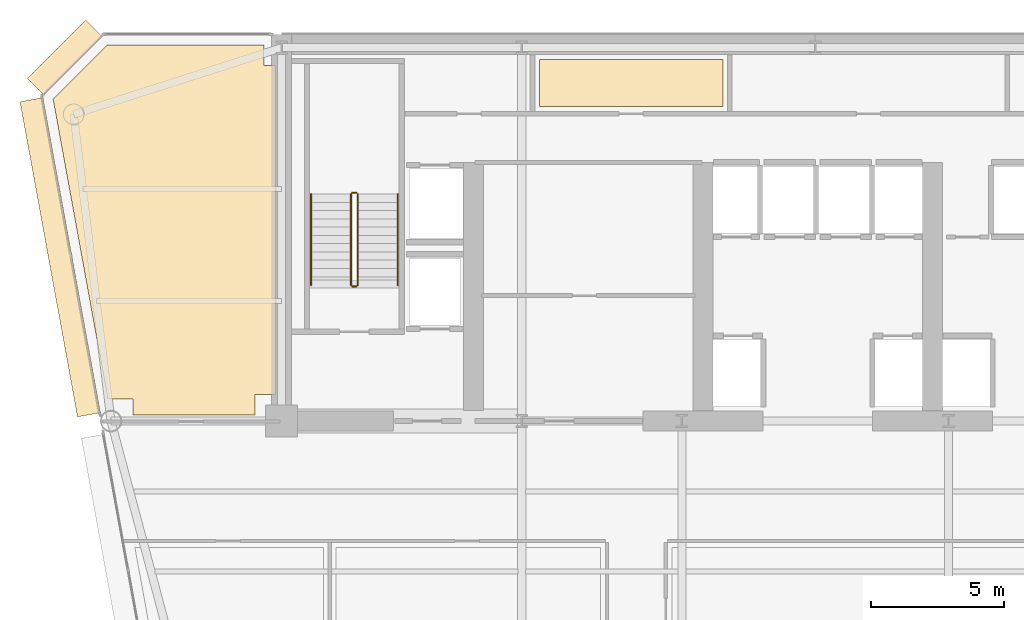
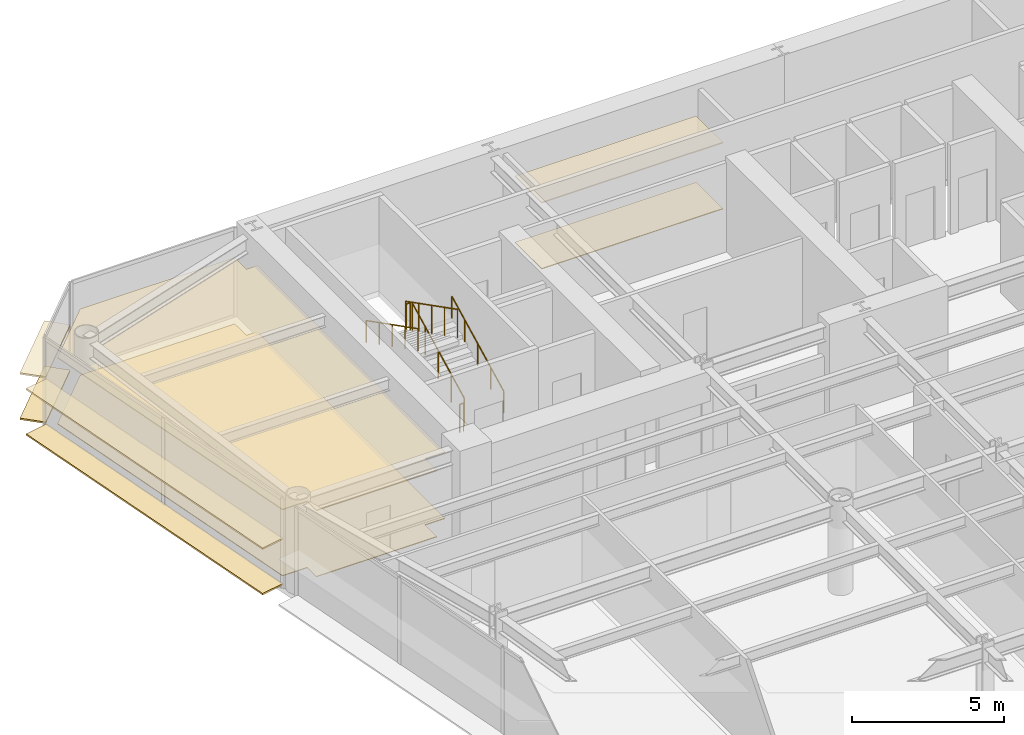
# One storey, part 15 of 17: 8 coverings, 6 railings.
"""IFC4 building model written with IfcOpenShell, lengths in metres."""

import ifcopenshell
import ifcopenshell.guid

model = None  # the IFC model being written
_history = None  # IfcOwnerHistory: only IFC2X3 demands one
_inside = {}  # id of a spatial element -> (the spatial element, [elements in it])
_under = {}  # id of a project, library or spatial element -> (it, [spatial elements below it])
_declared = {}  # id of a project -> (the project, [libraries it declares])
_typed = {}  # id of a type object -> (the type object, [elements of that type])
_made_of = {}  # id of a material, layer set ... -> (it, [elements and type objects made of it])


def new_model(schema):
    """Start an empty IFC model of exactly this schema.

    Asked for "IFC4X3", IfcOpenShell would pick the latest addendum, in which some entities
    have other attributes; the version numbers below select the first issue.
    IFC2X3 requires an IfcOwnerHistory on every rooted entity: one is made here for all.
    """
    global model, _history
    if schema == "IFC4X3":
        model = ifcopenshell.file(schema_version=(4, 3, 0, 0))
    else:
        model = ifcopenshell.file(schema=schema)
    _inside.clear()
    _under.clear()
    _declared.clear()
    _typed.clear()
    _made_of.clear()
    _history = None
    if model.schema == "IFC2X3":
        org = make("IfcOrganization", Name="unknown")
        user = make(
            "IfcPersonAndOrganization",
            ThePerson=make("IfcPerson", FamilyName="unknown"),
            TheOrganization=org,
        )
        app = make(
            "IfcApplication",
            ApplicationDeveloper=org,
            Version="unknown",
            ApplicationFullName="unknown",
            ApplicationIdentifier="unknown",
        )
        _history = make(
            "IfcOwnerHistory",
            OwningUser=user,
            OwningApplication=app,
            ChangeAction="ADDED",
            CreationDate=0,
        )
    return model


def make(cls, **values):
    """One entity of the class cls with the attributes given. An attribute that is None is left unset."""
    return model.create_entity(
        cls, **{name: value for name, value in values.items() if value is not None}
    )


def rooted(cls, **values):
    """An entity with a GlobalId (a new one), such as an element, a storey or a relation."""
    return make(cls, GlobalId=ifcopenshell.guid.new(), OwnerHistory=_history, **values)


def si_unit(unit_type, name, prefix=None):
    """IfcSIUnit, for example si_unit("LENGTHUNIT", "METRE", prefix="MILLI")."""
    return make("IfcSIUnit", UnitType=unit_type, Prefix=prefix, Name=name)


def assignment(units):
    """IfcUnitAssignment: the units of a project."""
    return None if units is None else make("IfcUnitAssignment", Units=units)


def point(xyz):
    """IfcCartesianPoint."""
    return None if xyz is None else make("IfcCartesianPoint", Coordinates=xyz)


def direction(xyz):
    """IfcDirection."""
    return None if xyz is None else make("IfcDirection", DirectionRatios=xyz)


def frame(location, z_axis=None, x_axis=None):
    """IfcAxis2Placement3D, a coordinate frame: its origin and axes. An axis left out is left unset."""
    return make(
        "IfcAxis2Placement3D",
        Location=point(location),
        Axis=direction(z_axis),
        RefDirection=direction(x_axis),
    )


def frame_2d(location, x_axis=None):
    """IfcAxis2Placement2D, a coordinate frame in the plane: its origin and x axis."""
    return make(
        "IfcAxis2Placement2D", Location=point(location), RefDirection=direction(x_axis)
    )


def origin():
    """The frame at (0, 0, 0) with its axes left unset."""
    return frame((0.0, 0.0, 0.0))


def origin_2d():
    """The frame at (0, 0) in the plane with its x axis left unset."""
    return frame_2d((0.0, 0.0))


def place(relative_to, where):
    """IfcLocalPlacement: puts the frame where relative to a parent placement (None: the world)."""
    return make(
        "IfcLocalPlacement", PlacementRelTo=relative_to, RelativePlacement=where
    )


def context(
    kind, dimensions, precision=None, world=None, true_north=None, identifier=None
):
    """IfcGeometricRepresentationContext, for example the 3D "Model" context."""
    return make(
        "IfcGeometricRepresentationContext",
        ContextIdentifier=identifier,
        ContextType=kind,
        CoordinateSpaceDimension=dimensions,
        Precision=precision,
        WorldCoordinateSystem=world,
        TrueNorth=true_north,
    )


def subcontext(parent, identifier, kind, view, scale=None):
    """IfcGeometricRepresentationSubContext, for example "Body" below "Model"."""
    return make(
        "IfcGeometricRepresentationSubContext",
        ContextIdentifier=identifier,
        ContextType=kind,
        ParentContext=parent,
        TargetScale=scale,
        TargetView=view,
    )


def project(units=None, contexts=None):
    """IfcProject with its units and contexts."""
    return rooted(
        "IfcProject",
        Name="project",
        RepresentationContexts=contexts,
        UnitsInContext=assignment(units),
    )


def spatial(cls, under=None, at=None, **own):
    """A site, building, storey or space (cls), placed at a placement, below another one or the project."""
    s = rooted(cls, ObjectPlacement=at, **own)
    if under is not None:
        _under.setdefault(under.id(), (under, []))[1].append(s)
    return s


def polyline(points):
    """IfcPolyline through the points."""
    return make("IfcPolyline", Points=[point(p) for p in points])


def profile(cls, at=None, kind="AREA", **sizes):
    """A parametric profile (cls). Its sizes go by their IFC names, for example OverallWidth=200.0."""
    return make(cls, ProfileType=kind, Position=at, **sizes)


def rectangle(**sizes):
    """IfcRectangleProfileDef."""
    return profile("IfcRectangleProfileDef", **sizes)


def circle(**sizes):
    """IfcCircleProfileDef."""
    return profile("IfcCircleProfileDef", **sizes)


def outline(outer, holes=None, kind="AREA"):
    """IfcArbitraryClosedProfileDef: a profile drawn as a closed curve; with holes, ...WithVoids."""
    if holes is None:
        return make("IfcArbitraryClosedProfileDef", ProfileType=kind, OuterCurve=outer)
    return make(
        "IfcArbitraryProfileDefWithVoids",
        ProfileType=kind,
        OuterCurve=outer,
        InnerCurves=holes,
    )


def extrude(swept, where, along, depth):
    """IfcExtrudedAreaSolid: the profile swept, set in the frame where, extruded along a direction by depth."""
    return make(
        "IfcExtrudedAreaSolid",
        SweptArea=swept,
        Position=where,
        ExtrudedDirection=direction(along),
        Depth=depth,
    )


def shape(context_of_items, identifier, shape_type, items):
    """IfcShapeRepresentation: the items that make up one representation, for example the "Body"."""
    return make(
        "IfcShapeRepresentation",
        ContextOfItems=context_of_items,
        RepresentationIdentifier=identifier,
        RepresentationType=shape_type,
        Items=items,
    )


def source(mapping_origin, context_of_items, identifier, shape_type, items):
    """IfcRepresentationMap: a shape defined once, which mapped items show again and again."""
    return make(
        "IfcRepresentationMap",
        MappingOrigin=mapping_origin,
        MappedRepresentation=shape(context_of_items, identifier, shape_type, items),
    )


def transform(
    local_origin,
    x_axis=None,
    y_axis=None,
    z_axis=None,
    scale=None,
    scale2=None,
    scale3=None,
    uniform=True,
):
    """IfcCartesianTransformationOperator3D, or its non-uniform kind. x_axis, y_axis, z_axis: its Axis1, 2, 3."""
    if uniform:
        return make(
            "IfcCartesianTransformationOperator3D",
            Axis1=direction(x_axis),
            Axis2=direction(y_axis),
            LocalOrigin=point(local_origin),
            Scale=scale,
            Axis3=direction(z_axis),
        )
    return make(
        "IfcCartesianTransformationOperator3DnonUniform",
        Axis1=direction(x_axis),
        Axis2=direction(y_axis),
        LocalOrigin=point(local_origin),
        Scale=scale,
        Axis3=direction(z_axis),
        Scale2=scale2,
        Scale3=scale3,
    )


def mapped(mapping_source, mapping_target):
    """IfcMappedItem: shows the shape of a source again, moved by a transform."""
    return make(
        "IfcMappedItem", MappingSource=mapping_source, MappingTarget=mapping_target
    )


def material(Name=None, Category=None):
    """IfcMaterial."""
    return make("IfcMaterial", Name=Name, Category=Category)


def layer(
    of_material, thickness, ventilated=None, Name=None, Category=None, Priority=None
):
    """IfcMaterialLayer: one layer of a wall or slab, of a material (None: an air gap)."""
    return make(
        "IfcMaterialLayer",
        Material=of_material,
        LayerThickness=thickness,
        IsVentilated=ventilated,
        Name=Name,
        Category=Category,
        Priority=Priority,
    )


def layer_set(layers, Name=None):
    """IfcMaterialLayerSet."""
    return make("IfcMaterialLayerSet", MaterialLayers=layers, LayerSetName=Name)


def made_of(thing, what):
    """Note that an element or type object is made of a material, layer set ...; save() writes the relation."""
    if what is not None:
        _made_of.setdefault(what.id(), (what, []))[1].append(thing)
    return thing


def type_object(cls, material=None, **own):
    """A type object (cls), such as IfcWallType, which elements share."""
    return made_of(rooted(cls, **own), material)


def element(
    cls,
    number,
    at=None,
    inside=None,
    cuts=None,
    type_object=None,
    material=None,
    context=None,
    identifier="Body",
    shape_type=None,
    held_by="IfcProductDefinitionShape",
    body=None,
    shapes=None,
    **own,
):
    """One element of the class cls, such as IfcWall. Its Tag is "e" and its number.

    at: its placement. inside: the storey or other place that contains it. cuts: it is an
    opening in that element (IfcRelVoidsElement). A single representation is given by context,
    identifier, shape_type and body (its items); several are given by shapes. held_by: the class
    of the entity that holds the representations. save() writes the other relations.
    """
    e = rooted(cls, Tag="e%d" % number, ObjectPlacement=at, **own)
    if body is not None:
        shapes = [shape(context, identifier, shape_type, body)]
    if shapes is not None:
        e.Representation = make(held_by, Representations=shapes)
    if inside is not None:
        _inside.setdefault(inside.id(), (inside, []))[1].append(e)
    if cuts is not None:
        rooted(
            "IfcRelVoidsElement", RelatingBuildingElement=cuts, RelatedOpeningElement=e
        )
    if type_object is not None:
        _typed.setdefault(type_object.id(), (type_object, []))[1].append(e)
    return made_of(e, material)


def aggregate(whole, parts):
    """IfcRelAggregates: a whole, such as a stair, and the parts it consists of."""
    return rooted("IfcRelAggregates", RelatingObject=whole, RelatedObjects=parts)


def save(model, path):
    """Write the relations noted so far, then the file.

    IfcRelAggregates (storeys below a building ...), IfcRelContainedInSpatialStructure (elements
    in a storey), IfcRelDefinesByType, IfcRelAssociatesMaterial and IfcRelDeclares: one each for
    every whole, place, type object, material and project.
    """
    for whole, parts in _under.values():
        aggregate(whole, parts)
    for where, things in _inside.values():
        rooted(
            "IfcRelContainedInSpatialStructure",
            RelatedElements=things,
            RelatingStructure=where,
        )
    for kind, things in _typed.values():
        rooted("IfcRelDefinesByType", RelatedObjects=things, RelatingType=kind)
    for what, things in _made_of.values():
        rooted("IfcRelAssociatesMaterial", RelatedObjects=things, RelatingMaterial=what)
    for by, libraries in _declared.values():
        rooted("IfcRelDeclares", RelatingContext=by, RelatedDefinitions=libraries)
    model.write(path)


model = new_model("IFC4")

# Units and contexts
model_context = context("Model", 3, precision=1e-05, world=origin(), true_north=direction((0.0, 1.0)))
body_context = subcontext(model_context, "Body", "Model", "MODEL_VIEW")
ifc_project = project(units=[si_unit("LENGTHUNIT", "METRE"), si_unit("AREAUNIT", "SQUARE_METRE"), si_unit("VOLUMEUNIT", "CUBIC_METRE"), si_unit("PLANEANGLEUNIT", "RADIAN"), si_unit("MASSUNIT", "GRAM", prefix="KILO")], contexts=[model_context])

# Site, building, storey
site_placement = place(None, origin())
site = spatial("IfcSite", under=ifc_project, at=site_placement, CompositionType="ELEMENT")
building_placement = place(site_placement, origin())
building = spatial("IfcBuilding", under=site, at=building_placement, Name="Vaeldorn Concourse Tower", CompositionType="ELEMENT")
storey_placement = place(building_placement, frame((0.0, 0.0, 161.39990234375)))
storey = spatial("IfcBuildingStorey", under=building, at=storey_placement, Name="L41", CompositionType="ELEMENT", Elevation=161.39990234375)

# Coverings
ifc_material_1 = material(Name="Acoustic Mineral Fibre Board", Category="gypsum")
ifc_layer_1 = layer(ifc_material_1, 0.0400390625)
ifc_layer_set_1 = layer_set([ifc_layer_1], Name="Acoustic Mineral Fibre Board")
covering_type_1 = type_object("IfcCoveringType", Name="COV-CEIL-ACOUSTIC", PredefinedType="CEILING", material=ifc_layer_set_1)
covering_1_placement = place(storey_placement, frame((0.0, 0.0, 2.650146484375)))
element("IfcCovering", 1, at=covering_1_placement, inside=storey, type_object=covering_type_1, Name="Suspended Acoustic Ceiling L41-2", PredefinedType="CEILING", context=body_context, shape_type="SweptSolid", body=[
    extrude(outline(polyline([(30.5400390625, 50.050048828125), (30.5400390625, 48.300048828125), (23.659912109375, 48.300048828125), (23.659912109375, 50.050048828125), (30.5400390625, 50.050048828125)])), origin(), (0.0, 0.0, 1.0), 0.0400390625),
])
covering_2_placement = place(storey_placement, frame((0.0, 0.0, 2.650146484375)))
element("IfcCovering", 2, at=covering_2_placement, inside=storey, type_object=covering_type_1, Name="Suspended Acoustic Ceiling L41-3", PredefinedType="CEILING", context=body_context, shape_type="SweptSolid", body=[
    extrude(outline(polyline([(7.4658203125, 50.60009765625), (13.340087890625, 50.60009765625), (13.340087890625, 49.840087890625), (13.760009765625, 49.840087890625), (13.760009765625, 37.5), (13.0, 37.5), (13.0, 36.719970703125), (8.419921875, 36.719970703125), (8.419921875, 37.320068359375), (7.482421875, 37.320068359375), (5.43115234375, 48.5654296875), (7.4658203125, 50.60009765625)])), origin(), (0.0, 0.0, 1.0), 0.0400390625),
])
ifc_material_2 = material(Name="Honed Limestone Terrazzo Flooring", Category="masonry")
ifc_layer_2 = layer(ifc_material_2, 0.0400390625)
ifc_layer_set_2 = layer_set([ifc_layer_2], Name="Honed Limestone Terrazzo Flooring")
covering_type_2 = type_object("IfcCoveringType", Name="COV-FLOOR-STONE", PredefinedType="FLOORING", material=ifc_layer_set_2)
covering_3_placement = place(storey_placement, origin())
element("IfcCovering", 3, at=covering_3_placement, inside=storey, type_object=covering_type_2, Name="Floor Finish Covering L41-2", PredefinedType="FLOORING", context=body_context, shape_type="SweptSolid", body=[
    extrude(outline(polyline([(30.5400390625, 50.050048828125), (30.5400390625, 48.300048828125), (23.659912109375, 48.300048828125), (23.659912109375, 50.050048828125), (30.5400390625, 50.050048828125)])), origin(), (0.0, 0.0, 1.0), 0.030029296875),
])
covering_4_placement = place(storey_placement, origin())
element("IfcCovering", 4, at=covering_4_placement, inside=storey, type_object=covering_type_2, Name="Floor Finish Covering L41-3", PredefinedType="FLOORING", context=body_context, shape_type="SweptSolid", body=[
    extrude(outline(polyline([(7.4658203125, 50.60009765625), (13.340087890625, 50.60009765625), (13.340087890625, 49.840087890625), (13.760009765625, 49.840087890625), (13.760009765625, 37.5), (13.0, 37.5), (13.0, 36.719970703125), (8.419921875, 36.719970703125), (8.419921875, 37.320068359375), (7.482421875, 37.320068359375), (5.43115234375, 48.5654296875), (7.4658203125, 50.60009765625)])), origin(), (0.0, 0.0, 1.0), 0.030029296875),
])

# Railings
ifc_material_3 = material(Name="Anodised Bronze Aluminium", Category="aluminium")
railing_type_1 = type_object("IfcRailingType", Name="RL-STAIR-GUARD", PredefinedType="GUARDRAIL", material=ifc_material_3)
railing_1_placement = place(storey_placement, frame((16.85009765625, 41.60009765625, 0.158447265625)))
element("IfcRailing", 5, at=railing_1_placement, inside=storey, type_object=railing_type_1, Name="L41 ST-1 stair guard 1", PredefinedType="GUARDRAIL", context=body_context, shape_type="SweptSolid", body=[
    extrude(circle(Radius=0.02392578125, at=origin_2d()), frame((0.0, 0.0, 1.1259765625), z_axis=(0.0, 0.890555807335, 0.454873997962), x_axis=(-1.0, 0.0, 0.0)), (0.0, 0.0, 1.0), 3.828857421875),
    extrude(circle(Radius=0.02099609375, at=origin_2d()), origin(), (0.0, 0.0, 1.0), 1.101806640625),
    extrude(circle(Radius=0.02099609375, at=origin_2d()), frame((0.0, 0.8525390625, 0.435546875)), (0.0, 0.0, 1.0), 1.101806640625),
    extrude(circle(Radius=0.02099609375, at=origin_2d()), frame((0.0, 1.705078125, 0.870849609375)), (0.0, 0.0, 1.0), 1.101806640625),
    extrude(circle(Radius=0.02099609375, at=origin_2d()), frame((0.0, 2.557373046875, 1.30615234375)), (0.0, 0.0, 1.0), 1.101806640625),
    extrude(circle(Radius=0.02099609375, at=origin_2d()), frame((0.0, 3.409912109375, 1.74169921875)), (0.0, 0.0, 1.0), 1.101806640625),
])
railing_2_placement = place(storey_placement, frame((16.800048828125, 45.06005859375, 1.900146484375)))
element("IfcRailing", 6, at=railing_2_placement, inside=storey, type_object=railing_type_1, Name="L41 ST-1 stair guard 2", PredefinedType="GUARDRAIL", context=body_context, shape_type="SweptSolid", body=[
    extrude(circle(Radius=0.02392578125, at=origin_2d()), frame((0.0, 0.0, 1.1259765625), z_axis=(-1.0, 0.0, 0.0), x_axis=(0.0, -1.0, 0.0)), (0.0, 0.0, 1.0), 0.150146484375),
    extrude(circle(Radius=0.02099609375, at=origin_2d()), origin(), (0.0, 0.0, 1.0), 1.101806640625),
    extrude(circle(Radius=0.02099609375, at=origin_2d()), frame((-0.150146484375, 0.0, 0.0)), (0.0, 0.0, 1.0), 1.101806640625),
])
railing_3_placement = place(storey_placement, frame((16.60009765625, 45.010009765625, 2.058349609375)))
element("IfcRailing", 7, at=railing_3_placement, inside=storey, type_object=railing_type_1, Name="L41 ST-1 stair guard 3", PredefinedType="GUARDRAIL", context=body_context, shape_type="SweptSolid", body=[
    extrude(circle(Radius=0.02392578125, at=origin_2d()), frame((0.0, 0.0, 1.1259765625), z_axis=(0.0, -0.890555807335, 0.454873997962), x_axis=(1.0, 0.0, 0.0)), (0.0, 0.0, 1.0), 3.828857421875),
    extrude(circle(Radius=0.02099609375, at=origin_2d()), origin(), (0.0, 0.0, 1.0), 1.101806640625),
    extrude(circle(Radius=0.02099609375, at=origin_2d()), frame((0.0, -0.8525390625, 0.435546875)), (0.0, 0.0, 1.0), 1.101806640625),
    extrude(circle(Radius=0.02099609375, at=origin_2d()), frame((0.0, -1.705078125, 0.870849609375)), (0.0, 0.0, 1.0), 1.101806640625),
    extrude(circle(Radius=0.02099609375, at=origin_2d()), frame((0.0, -2.557373046875, 1.30615234375)), (0.0, 0.0, 1.0), 1.101806640625),
    extrude(circle(Radius=0.02099609375, at=origin_2d()), frame((0.0, -3.409912109375, 1.74169921875)), (0.0, 0.0, 1.0), 1.101806640625),
])
railing_4_placement = place(storey_placement, frame((16.800048828125, 41.550048828125, 0.0)))
element("IfcRailing", 8, at=railing_4_placement, inside=storey, type_object=railing_type_1, Name="L41 ST-1 stair guard 4", PredefinedType="GUARDRAIL", context=body_context, shape_type="SweptSolid", body=[
    extrude(circle(Radius=0.02392578125, at=origin_2d()), frame((0.0, 0.0, 1.1259765625), z_axis=(-1.0, 0.0, 0.0), x_axis=(0.0, -1.0, 0.0)), (0.0, 0.0, 1.0), 0.150146484375),
    extrude(circle(Radius=0.02099609375, at=origin_2d()), origin(), (0.0, 0.0, 1.0), 1.101806640625),
    extrude(circle(Radius=0.02099609375, at=origin_2d()), frame((-0.150146484375, 0.0, 0.0)), (0.0, 0.0, 1.0), 1.101806640625),
])
railing_type_2 = type_object("IfcRailingType", Name="RL-STAIR-HANDRAIL", PredefinedType="HANDRAIL", material=ifc_material_3)
railing_5_placement = place(storey_placement, frame((18.35009765625, 41.60009765625, 0.158447265625)))
element("IfcRailing", 9, at=railing_5_placement, inside=storey, type_object=railing_type_2, Name="L41 ST-1 stair handrail 1", PredefinedType="HANDRAIL", context=body_context, shape_type="SweptSolid", body=[
    extrude(circle(Radius=0.02392578125, at=origin_2d()), frame((0.0, 0.0, 0.8759765625), z_axis=(0.0, 0.890555807335, 0.454873997962), x_axis=(-1.0, 0.0, 0.0)), (0.0, 0.0, 1.0), 3.828857421875),
    extrude(circle(Radius=0.02099609375, at=origin_2d()), origin(), (0.0, 0.0, 1.0), 0.851806640625),
    extrude(circle(Radius=0.02099609375, at=origin_2d()), frame((0.0, 0.8525390625, 0.435546875)), (0.0, 0.0, 1.0), 0.851806640625),
    extrude(circle(Radius=0.02099609375, at=origin_2d()), frame((0.0, 1.705078125, 0.870849609375)), (0.0, 0.0, 1.0), 0.851806640625),
    extrude(circle(Radius=0.02099609375, at=origin_2d()), frame((0.0, 2.557373046875, 1.30615234375)), (0.0, 0.0, 1.0), 0.851806640625),
    extrude(circle(Radius=0.02099609375, at=origin_2d()), frame((0.0, 3.409912109375, 1.74169921875)), (0.0, 0.0, 1.0), 0.851806640625),
])
railing_6_placement = place(storey_placement, frame((15.10009765625, 45.010009765625, 2.058349609375)))
element("IfcRailing", 10, at=railing_6_placement, inside=storey, type_object=railing_type_2, Name="L41 ST-1 stair handrail 2", PredefinedType="HANDRAIL", context=body_context, shape_type="SweptSolid", body=[
    extrude(circle(Radius=0.02392578125, at=origin_2d()), frame((0.0, 0.0, 0.8759765625), z_axis=(0.0, -0.890555807335, 0.454873997962), x_axis=(1.0, 0.0, 0.0)), (0.0, 0.0, 1.0), 3.828857421875),
    extrude(circle(Radius=0.02099609375, at=origin_2d()), origin(), (0.0, 0.0, 1.0), 0.851806640625),
    extrude(circle(Radius=0.02099609375, at=origin_2d()), frame((0.0, -0.8525390625, 0.435546875)), (0.0, 0.0, 1.0), 0.851806640625),
    extrude(circle(Radius=0.02099609375, at=origin_2d()), frame((0.0, -1.705078125, 0.870849609375)), (0.0, 0.0, 1.0), 0.851806640625),
    extrude(circle(Radius=0.02099609375, at=origin_2d()), frame((0.0, -2.557373046875, 1.30615234375)), (0.0, 0.0, 1.0), 0.851806640625),
    extrude(circle(Radius=0.02099609375, at=origin_2d()), frame((0.0, -3.409912109375, 1.74169921875)), (0.0, 0.0, 1.0), 0.851806640625),
])

# Coverings
ifc_layer_3 = layer(ifc_material_3, 0.06494140625)
ifc_layer_set_3 = layer_set([ifc_layer_3], Name="Anodised Bronze Aluminium")
covering_type_3 = type_object("IfcCoveringType", Name="SD-BRONZE-SUNSHADE", PredefinedType="USERDEFINED", material=ifc_layer_set_3)
shared_shape_1 = source(origin(), body_context, "Body", "SweptSolid", [
    extrude(rectangle(XDim=3.0927734375, YDim=0.8798828125, at=origin_2d()), origin(), (0.0, 0.0, 1.0), 0.06494140625),
])
for number, where, z_axis, x_axis, name in (
    (11, (5.8671875, 50.1328125, 0.047607421875), (0.0, 0.0, 1.0), (-0.707106781187, -0.707106781187, 0.0), "Horizontal Bronze Sunshade L41-E10.1.1"),
    (12, (5.8671875, 50.1328125, 1.86767578125), (0.0, 0.0, 1.0), (-0.707106781187, -0.707106781187, 0.0), "Horizontal Bronze Sunshade L41-E10.1.2"),
):
    element("IfcCovering", number, at=place(storey_placement, frame(where, z_axis=z_axis, x_axis=x_axis)), inside=storey, type_object=covering_type_3, Name=name, ObjectType="SUNSHADE", PredefinedType="USERDEFINED", context=body_context, shape_type="MappedRepresentation", body=[
        mapped(shared_shape_1, transform((0.0, 0.0, 0.0), scale=1.0)),
    ])
shared_shape_2 = source(origin(), body_context, "Body", "SweptSolid", [
    extrude(rectangle(XDim=12.0078125, YDim=0.8798828125, at=origin_2d()), origin(), (0.0, 0.0, 1.0), 0.06494140625),
])
for number, where, z_axis, x_axis, name in (
    (13, (5.6982421875, 42.64306640625, 0.047607421875), (0.0, 0.0, 1.0), (0.179454713012, -0.983766235433, 0.0), "Horizontal Bronze Sunshade L41-E11.1.1"),
    (14, (5.6982421875, 42.64306640625, 1.86767578125), (0.0, 0.0, 1.0), (0.179454713012, -0.983766235433, 0.0), "Horizontal Bronze Sunshade L41-E11.1.2"),
):
    element("IfcCovering", number, at=place(storey_placement, frame(where, z_axis=z_axis, x_axis=x_axis)), inside=storey, type_object=covering_type_3, Name=name, ObjectType="SUNSHADE", PredefinedType="USERDEFINED", context=body_context, shape_type="MappedRepresentation", body=[
        mapped(shared_shape_2, transform((0.0, 0.0, 0.0), scale=1.0)),
    ])

save(model, "model.ifc")
